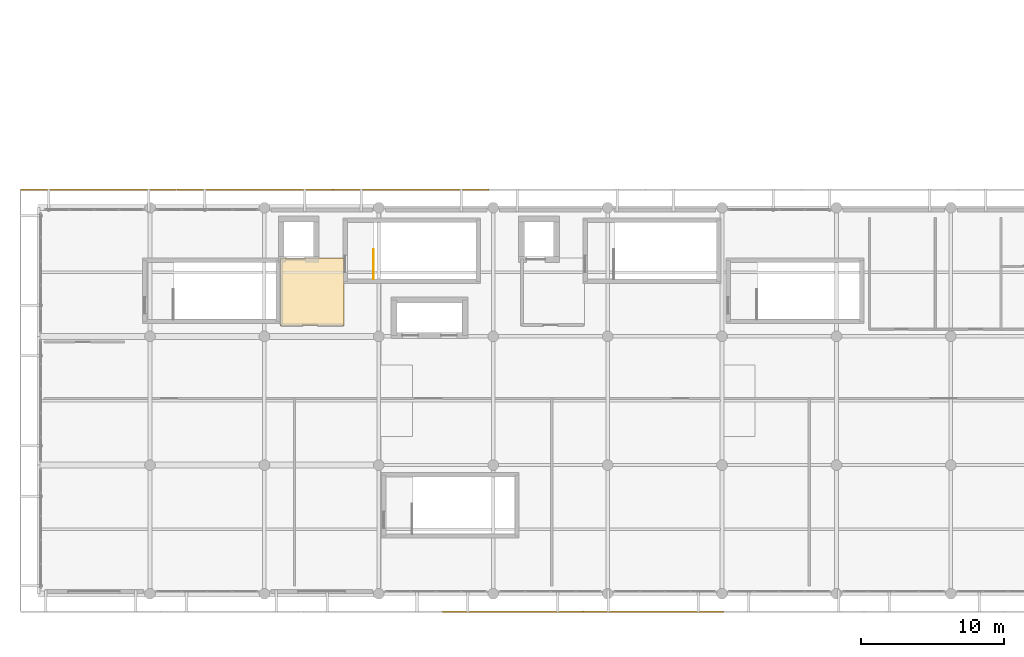
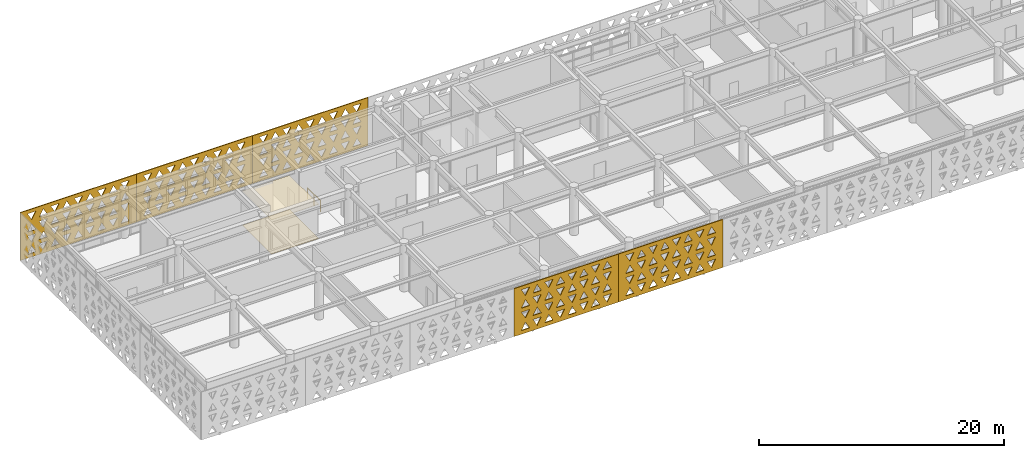
# One storey, part 23 of 26: 7 coverings, 1 railing.
"""IFC4 building model written with IfcOpenShell, lengths in metres."""

from ifc_helpers import new_model, si_unit, direction, frame, origin, origin_2d, place, context, subcontext, project, spatial, polyline, circle, outline, extrude, material, layer, layer_set, type_object, element, save


model = new_model("IFC4")

# Units and contexts
model_context = context("Model", 3, precision=1e-05, world=origin(), true_north=direction((0.0, 1.0)))
body_context = subcontext(model_context, "Body", "Model", "MODEL_VIEW")
ifc_project = project(units=[si_unit("LENGTHUNIT", "METRE"), si_unit("AREAUNIT", "SQUARE_METRE"), si_unit("VOLUMEUNIT", "CUBIC_METRE"), si_unit("PLANEANGLEUNIT", "RADIAN"), si_unit("MASSUNIT", "GRAM", prefix="KILO")], contexts=[model_context])

# Site, building, storey
site_placement = place(None, origin())
site = spatial("IfcSite", under=ifc_project, at=site_placement, CompositionType="ELEMENT")
building_placement = place(site_placement, origin())
building = spatial("IfcBuilding", under=site, at=building_placement, Name="Tlacozan Convention Centre", CompositionType="ELEMENT")
storey_placement = place(building_placement, frame((0.0, 0.0, 21.0)))
storey = spatial("IfcBuildingStorey", under=building, at=storey_placement, Name="L04", CompositionType="ELEMENT", Elevation=21.0)

# Coverings
ifc_material_1 = material(Name="Perforated Acoustic Mineral Fibre Ceiling")
ifc_layer_1 = layer(ifc_material_1, 0.02490234375)
ifc_layer_set_1 = layer_set([ifc_layer_1], Name="Perforated Acoustic Mineral Fibre Ceiling")
covering_type_1 = type_object("IfcCoveringType", Name="Acoustic Mineral Fibre Ceiling 25", PredefinedType="CEILING", material=ifc_layer_set_1)
covering_1_placement = place(storey_placement, frame((0.0, 0.0, 3.39990234375)))
element("IfcCovering", 1, at=covering_1_placement, inside=storey, type_object=covering_type_1, Name="L04 Acoustic Ceiling L04-FFL-1", PredefinedType="CEILING", context=body_context, shape_type="SweptSolid", body=[
    extrude(outline(polyline([(17.1201171875, 18.719970703125), (21.580078125, 18.719970703125), (21.580078125, 23.47998046875), (17.1201171875, 23.47998046875), (17.1201171875, 18.719970703125)])), origin(), (0.0, 0.0, 1.0), 0.025146484375),
])
ifc_material_2 = material(Name="Polished Basalt Terrazzo Flooring", Category="masonry")
ifc_layer_2 = layer(ifc_material_2, 0.02001953125)
ifc_layer_set_2 = layer_set([ifc_layer_2], Name="Polished Basalt Terrazzo Flooring")
covering_type_2 = type_object("IfcCoveringType", Name="Polished Basalt Terrazzo Flooring 20", PredefinedType="FLOORING", material=ifc_layer_set_2)
covering_2_placement = place(storey_placement, origin())
element("IfcCovering", 2, at=covering_2_placement, inside=storey, type_object=covering_type_2, Name="L04 Terrazzo Flooring L04-FFL-1", PredefinedType="FLOORING", context=body_context, shape_type="SweptSolid", body=[
    extrude(outline(polyline([(17.1201171875, 18.719970703125), (21.580078125, 18.719970703125), (21.580078125, 23.47998046875), (17.1201171875, 23.47998046875), (17.1201171875, 18.719970703125)])), origin(), (0.0, 0.0, 1.0), 0.02001953125),
])

# Railing
ifc_material_3 = material(Name="Architectural Painted Galvanised Steel Railing", Category="steel")
railing_type = type_object("IfcRailingType", Name="Stair Well Guardrail 1100", PredefinedType="GUARDRAIL", material=ifc_material_3)
railing_placement = place(storey_placement, frame((23.6298828125, 22.0, 0.0)))
element("IfcRailing", 3, at=railing_placement, inside=storey, type_object=railing_type, Name="L04 ST-01 top well guard 1", PredefinedType="GUARDRAIL", context=body_context, shape_type="SweptSolid", body=[
    extrude(circle(Radius=0.02392578125, at=origin_2d()), frame((0.0, 0.0, 1.076171875), z_axis=(0.0, 1.0, 0.0), x_axis=(-1.0, 0.0, 0.0)), (0.0, 0.0, 1.0), 2.080078125),
    extrude(circle(Radius=0.02099609375, at=origin_2d()), origin(), (0.0, 0.0, 1.0), 1.052001953125),
    extrude(circle(Radius=0.02099609375, at=origin_2d()), frame((0.0, 1.0400390625, 0.0)), (0.0, 0.0, 1.0), 1.052001953125),
    extrude(circle(Radius=0.02099609375, at=origin_2d()), frame((0.0, 2.080078125, 0.0)), (0.0, 0.0, 1.0), 1.052001953125),
])

# Coverings
ifc_material_4 = material(Name="Toluca Fired Terracotta Masonry Solar Screen", Category="masonry")
ifc_layer_3 = layer(ifc_material_4, 0.080078125)
ifc_layer_set_3 = layer_set([ifc_layer_3], Name="Toluca Fired Terracotta Masonry Solar Screen")
covering_type_3 = type_object("IfcCoveringType", Name="Terracotta Triangle Solar Screen 80", PredefinedType="USERDEFINED", material=ifc_layer_set_3)
covering_3_placement = place(storey_placement, frame((28.44189453125, -1.25, -0.030029296875), z_axis=(0.0, 0.0, 1.0), x_axis=(1.0, 0.0, 0.0)))
element("IfcCovering", 4, at=covering_3_placement, inside=storey, type_object=covering_type_3, Name="L04 Terracotta Triangle Screen 80", ObjectType="SCREEN", PredefinedType="USERDEFINED", context=body_context, shape_type="SweptSolid", body=[
    extrude(outline(polyline([(0.0, 0.0), (9.826171875, 0.0), (9.826171875, 4.780029296875), (0.0, 4.780029296875), (0.0, 0.0)]), holes=[polyline([(0.677001953125, 0.360107421875), (1.44921875, 0.360107421875), (1.06298828125, 1.074951171875), (0.677001953125, 0.360107421875)]), polyline([(1.777099609375, 1.074951171875), (2.549072265625, 1.074951171875), (2.1630859375, 0.360107421875), (1.777099609375, 1.074951171875)]), polyline([(2.876953125, 0.360107421875), (3.649169921875, 0.360107421875), (3.26318359375, 1.074951171875), (2.876953125, 0.360107421875)]), polyline([(3.97705078125, 1.074951171875), (4.7490234375, 1.074951171875), (4.363037109375, 0.360107421875), (3.97705078125, 1.074951171875)]), polyline([(5.0771484375, 0.360107421875), (5.84912109375, 0.360107421875), (5.463134765625, 1.074951171875), (5.0771484375, 0.360107421875)]), polyline([(6.177001953125, 1.074951171875), (6.94921875, 1.074951171875), (6.56298828125, 0.360107421875), (6.177001953125, 1.074951171875)]), polyline([(7.277099609375, 0.360107421875), (8.049072265625, 0.360107421875), (7.6630859375, 1.074951171875), (7.277099609375, 0.360107421875)]), polyline([(8.376953125, 1.074951171875), (9.149169921875, 1.074951171875), (8.76318359375, 0.360107421875), (8.376953125, 1.074951171875)]), polyline([(0.677001953125, 2.18994140625), (1.44921875, 2.18994140625), (1.06298828125, 1.47509765625), (0.677001953125, 2.18994140625)]), polyline([(1.777099609375, 1.47509765625), (2.549072265625, 1.47509765625), (2.1630859375, 2.18994140625), (1.777099609375, 1.47509765625)]), polyline([(2.876953125, 2.18994140625), (3.649169921875, 2.18994140625), (3.26318359375, 1.47509765625), (2.876953125, 2.18994140625)]), polyline([(3.97705078125, 1.47509765625), (4.7490234375, 1.47509765625), (4.363037109375, 2.18994140625), (3.97705078125, 1.47509765625)]), polyline([(5.0771484375, 2.18994140625), (5.84912109375, 2.18994140625), (5.463134765625, 1.47509765625), (5.0771484375, 2.18994140625)]), polyline([(6.177001953125, 1.47509765625), (6.94921875, 1.47509765625), (6.56298828125, 2.18994140625), (6.177001953125, 1.47509765625)]), polyline([(7.277099609375, 2.18994140625), (8.049072265625, 2.18994140625), (7.6630859375, 1.47509765625), (7.277099609375, 2.18994140625)]), polyline([(8.376953125, 1.47509765625), (9.149169921875, 1.47509765625), (8.76318359375, 2.18994140625), (8.376953125, 1.47509765625)]), polyline([(0.677001953125, 2.590087890625), (1.44921875, 2.590087890625), (1.06298828125, 3.304931640625), (0.677001953125, 2.590087890625)]), polyline([(1.777099609375, 3.304931640625), (2.549072265625, 3.304931640625), (2.1630859375, 2.590087890625), (1.777099609375, 3.304931640625)]), polyline([(2.876953125, 2.590087890625), (3.649169921875, 2.590087890625), (3.26318359375, 3.304931640625), (2.876953125, 2.590087890625)]), polyline([(3.97705078125, 3.304931640625), (4.7490234375, 3.304931640625), (4.363037109375, 2.590087890625), (3.97705078125, 3.304931640625)]), polyline([(5.0771484375, 2.590087890625), (5.84912109375, 2.590087890625), (5.463134765625, 3.304931640625), (5.0771484375, 2.590087890625)]), polyline([(6.177001953125, 3.304931640625), (6.94921875, 3.304931640625), (6.56298828125, 2.590087890625), (6.177001953125, 3.304931640625)]), polyline([(7.277099609375, 2.590087890625), (8.049072265625, 2.590087890625), (7.6630859375, 3.304931640625), (7.277099609375, 2.590087890625)]), polyline([(8.376953125, 3.304931640625), (9.149169921875, 3.304931640625), (8.76318359375, 2.590087890625), (8.376953125, 3.304931640625)]), polyline([(0.677001953125, 4.419921875), (1.44921875, 4.419921875), (1.06298828125, 3.705078125), (0.677001953125, 4.419921875)]), polyline([(1.777099609375, 3.705078125), (2.549072265625, 3.705078125), (2.1630859375, 4.419921875), (1.777099609375, 3.705078125)]), polyline([(2.876953125, 4.419921875), (3.649169921875, 4.419921875), (3.26318359375, 3.705078125), (2.876953125, 4.419921875)]), polyline([(3.97705078125, 3.705078125), (4.7490234375, 3.705078125), (4.363037109375, 4.419921875), (3.97705078125, 3.705078125)]), polyline([(5.0771484375, 4.419921875), (5.84912109375, 4.419921875), (5.463134765625, 3.705078125), (5.0771484375, 4.419921875)]), polyline([(6.177001953125, 3.705078125), (6.94921875, 3.705078125), (6.56298828125, 4.419921875), (6.177001953125, 3.705078125)]), polyline([(7.277099609375, 4.419921875), (8.049072265625, 4.419921875), (7.6630859375, 3.705078125), (7.277099609375, 4.419921875)]), polyline([(8.376953125, 3.705078125), (9.149169921875, 3.705078125), (8.76318359375, 4.419921875), (8.376953125, 3.705078125)])]), frame((0.0, 0.0400390625, 0.0), z_axis=(0.0, -1.0, 0.0), x_axis=(1.0, 0.0, 0.0)), (0.0, 0.0, 1.0), 0.080078125),
])
covering_4_placement = place(storey_placement, frame((38.27197265625, -1.25, -0.030029296875), z_axis=(0.0, 0.0, 1.0), x_axis=(1.0, 0.0, 0.0)))
element("IfcCovering", 5, at=covering_4_placement, inside=storey, type_object=covering_type_3, Name="L04 Terracotta Triangle Screen 81", ObjectType="SCREEN", PredefinedType="USERDEFINED", context=body_context, shape_type="SweptSolid", body=[
    extrude(outline(polyline([(0.0, 0.0), (9.825927734375, 0.0), (9.825927734375, 4.780029296875), (0.0, 4.780029296875), (0.0, 0.0)]), holes=[polyline([(0.677001953125, 0.360107421875), (1.448974609375, 0.360107421875), (1.06298828125, 1.074951171875), (0.677001953125, 0.360107421875)]), polyline([(1.77685546875, 1.074951171875), (2.549072265625, 1.074951171875), (2.1630859375, 0.360107421875), (1.77685546875, 1.074951171875)]), polyline([(2.876953125, 0.360107421875), (3.64892578125, 0.360107421875), (3.262939453125, 1.074951171875), (2.876953125, 0.360107421875)]), polyline([(3.97705078125, 1.074951171875), (4.7490234375, 1.074951171875), (4.363037109375, 0.360107421875), (3.97705078125, 1.074951171875)]), polyline([(5.076904296875, 0.360107421875), (5.848876953125, 0.360107421875), (5.462890625, 1.074951171875), (5.076904296875, 0.360107421875)]), polyline([(6.177001953125, 1.074951171875), (6.948974609375, 1.074951171875), (6.56298828125, 0.360107421875), (6.177001953125, 1.074951171875)]), polyline([(7.27685546875, 0.360107421875), (8.049072265625, 0.360107421875), (7.6630859375, 1.074951171875), (7.27685546875, 0.360107421875)]), polyline([(8.376953125, 1.074951171875), (9.14892578125, 1.074951171875), (8.762939453125, 0.360107421875), (8.376953125, 1.074951171875)]), polyline([(0.677001953125, 2.18994140625), (1.448974609375, 2.18994140625), (1.06298828125, 1.47509765625), (0.677001953125, 2.18994140625)]), polyline([(1.77685546875, 1.47509765625), (2.549072265625, 1.47509765625), (2.1630859375, 2.18994140625), (1.77685546875, 1.47509765625)]), polyline([(2.876953125, 2.18994140625), (3.64892578125, 2.18994140625), (3.262939453125, 1.47509765625), (2.876953125, 2.18994140625)]), polyline([(3.97705078125, 1.47509765625), (4.7490234375, 1.47509765625), (4.363037109375, 2.18994140625), (3.97705078125, 1.47509765625)]), polyline([(5.076904296875, 2.18994140625), (5.848876953125, 2.18994140625), (5.462890625, 1.47509765625), (5.076904296875, 2.18994140625)]), polyline([(6.177001953125, 1.47509765625), (6.948974609375, 1.47509765625), (6.56298828125, 2.18994140625), (6.177001953125, 1.47509765625)]), polyline([(7.27685546875, 2.18994140625), (8.049072265625, 2.18994140625), (7.6630859375, 1.47509765625), (7.27685546875, 2.18994140625)]), polyline([(8.376953125, 1.47509765625), (9.14892578125, 1.47509765625), (8.762939453125, 2.18994140625), (8.376953125, 1.47509765625)]), polyline([(0.677001953125, 2.590087890625), (1.448974609375, 2.590087890625), (1.06298828125, 3.304931640625), (0.677001953125, 2.590087890625)]), polyline([(1.77685546875, 3.304931640625), (2.549072265625, 3.304931640625), (2.1630859375, 2.590087890625), (1.77685546875, 3.304931640625)]), polyline([(2.876953125, 2.590087890625), (3.64892578125, 2.590087890625), (3.262939453125, 3.304931640625), (2.876953125, 2.590087890625)]), polyline([(3.97705078125, 3.304931640625), (4.7490234375, 3.304931640625), (4.363037109375, 2.590087890625), (3.97705078125, 3.304931640625)]), polyline([(5.076904296875, 2.590087890625), (5.848876953125, 2.590087890625), (5.462890625, 3.304931640625), (5.076904296875, 2.590087890625)]), polyline([(6.177001953125, 3.304931640625), (6.948974609375, 3.304931640625), (6.56298828125, 2.590087890625), (6.177001953125, 3.304931640625)]), polyline([(7.27685546875, 2.590087890625), (8.049072265625, 2.590087890625), (7.6630859375, 3.304931640625), (7.27685546875, 2.590087890625)]), polyline([(8.376953125, 3.304931640625), (9.14892578125, 3.304931640625), (8.762939453125, 2.590087890625), (8.376953125, 3.304931640625)]), polyline([(0.677001953125, 4.419921875), (1.448974609375, 4.419921875), (1.06298828125, 3.705078125), (0.677001953125, 4.419921875)]), polyline([(1.77685546875, 3.705078125), (2.549072265625, 3.705078125), (2.1630859375, 4.419921875), (1.77685546875, 3.705078125)]), polyline([(2.876953125, 4.419921875), (3.64892578125, 4.419921875), (3.262939453125, 3.705078125), (2.876953125, 4.419921875)]), polyline([(3.97705078125, 3.705078125), (4.7490234375, 3.705078125), (4.363037109375, 4.419921875), (3.97705078125, 3.705078125)]), polyline([(5.076904296875, 4.419921875), (5.848876953125, 4.419921875), (5.462890625, 3.705078125), (5.076904296875, 4.419921875)]), polyline([(6.177001953125, 3.705078125), (6.948974609375, 3.705078125), (6.56298828125, 4.419921875), (6.177001953125, 3.705078125)]), polyline([(7.27685546875, 4.419921875), (8.049072265625, 4.419921875), (7.6630859375, 3.705078125), (7.27685546875, 4.419921875)]), polyline([(8.376953125, 3.705078125), (9.14892578125, 3.705078125), (8.762939453125, 4.419921875), (8.376953125, 3.705078125)])]), frame((0.0, 0.0400390625, 0.0), z_axis=(0.0, -1.0, 0.0), x_axis=(1.0, 0.0, 0.0)), (0.0, 0.0, 1.0), 0.080078125),
])
covering_5_placement = place(storey_placement, frame((-1.048095703125, 28.25, -0.030029296875), z_axis=(0.0, 0.0, 1.0), x_axis=(1.0, 0.0, 0.0)))
element("IfcCovering", 6, at=covering_5_placement, inside=storey, type_object=covering_type_3, Name="L04 Terracotta Triangle Screen 93", ObjectType="SCREEN", PredefinedType="USERDEFINED", context=body_context, shape_type="SweptSolid", body=[
    extrude(outline(polyline([(0.0, 0.0), (10.918212890625, 0.0), (10.918212890625, 4.780029296875), (0.0, 4.780029296875), (0.0, 0.0)]), holes=[polyline([(0.673095703125, 0.360107421875), (1.445068359375, 0.360107421875), (1.05908203125, 1.074951171875), (0.673095703125, 0.360107421875)]), polyline([(1.773193359375, 1.074951171875), (2.545166015625, 1.074951171875), (2.1591796875, 0.360107421875), (1.773193359375, 1.074951171875)]), polyline([(2.873046875, 0.360107421875), (3.64501953125, 0.360107421875), (3.259033203125, 1.074951171875), (2.873046875, 0.360107421875)]), polyline([(3.97314453125, 1.074951171875), (4.7451171875, 1.074951171875), (4.359130859375, 0.360107421875), (3.97314453125, 1.074951171875)]), polyline([(5.072998046875, 0.360107421875), (5.84521484375, 0.360107421875), (5.458984375, 1.074951171875), (5.072998046875, 0.360107421875)]), polyline([(6.173095703125, 1.074951171875), (6.945068359375, 1.074951171875), (6.55908203125, 0.360107421875), (6.173095703125, 1.074951171875)]), polyline([(7.273193359375, 0.360107421875), (8.045166015625, 0.360107421875), (7.6591796875, 1.074951171875), (7.273193359375, 0.360107421875)]), polyline([(8.373046875, 1.074951171875), (9.14501953125, 1.074951171875), (8.759033203125, 0.360107421875), (8.373046875, 1.074951171875)]), polyline([(9.47314453125, 0.360107421875), (10.2451171875, 0.360107421875), (9.859130859375, 1.074951171875), (9.47314453125, 0.360107421875)]), polyline([(0.673095703125, 2.18994140625), (1.445068359375, 2.18994140625), (1.05908203125, 1.47509765625), (0.673095703125, 2.18994140625)]), polyline([(1.773193359375, 1.47509765625), (2.545166015625, 1.47509765625), (2.1591796875, 2.18994140625), (1.773193359375, 1.47509765625)]), polyline([(2.873046875, 2.18994140625), (3.64501953125, 2.18994140625), (3.259033203125, 1.47509765625), (2.873046875, 2.18994140625)]), polyline([(3.97314453125, 1.47509765625), (4.7451171875, 1.47509765625), (4.359130859375, 2.18994140625), (3.97314453125, 1.47509765625)]), polyline([(5.072998046875, 2.18994140625), (5.84521484375, 2.18994140625), (5.458984375, 1.47509765625), (5.072998046875, 2.18994140625)]), polyline([(6.173095703125, 1.47509765625), (6.945068359375, 1.47509765625), (6.55908203125, 2.18994140625), (6.173095703125, 1.47509765625)]), polyline([(7.273193359375, 2.18994140625), (8.045166015625, 2.18994140625), (7.6591796875, 1.47509765625), (7.273193359375, 2.18994140625)]), polyline([(8.373046875, 1.47509765625), (9.14501953125, 1.47509765625), (8.759033203125, 2.18994140625), (8.373046875, 1.47509765625)]), polyline([(9.47314453125, 2.18994140625), (10.2451171875, 2.18994140625), (9.859130859375, 1.47509765625), (9.47314453125, 2.18994140625)]), polyline([(0.673095703125, 2.590087890625), (1.445068359375, 2.590087890625), (1.05908203125, 3.304931640625), (0.673095703125, 2.590087890625)]), polyline([(1.773193359375, 3.304931640625), (2.545166015625, 3.304931640625), (2.1591796875, 2.590087890625), (1.773193359375, 3.304931640625)]), polyline([(2.873046875, 2.590087890625), (3.64501953125, 2.590087890625), (3.259033203125, 3.304931640625), (2.873046875, 2.590087890625)]), polyline([(3.97314453125, 3.304931640625), (4.7451171875, 3.304931640625), (4.359130859375, 2.590087890625), (3.97314453125, 3.304931640625)]), polyline([(5.072998046875, 2.590087890625), (5.84521484375, 2.590087890625), (5.458984375, 3.304931640625), (5.072998046875, 2.590087890625)]), polyline([(6.173095703125, 3.304931640625), (6.945068359375, 3.304931640625), (6.55908203125, 2.590087890625), (6.173095703125, 3.304931640625)]), polyline([(7.273193359375, 2.590087890625), (8.045166015625, 2.590087890625), (7.6591796875, 3.304931640625), (7.273193359375, 2.590087890625)]), polyline([(8.373046875, 3.304931640625), (9.14501953125, 3.304931640625), (8.759033203125, 2.590087890625), (8.373046875, 3.304931640625)]), polyline([(9.47314453125, 2.590087890625), (10.2451171875, 2.590087890625), (9.859130859375, 3.304931640625), (9.47314453125, 2.590087890625)]), polyline([(0.673095703125, 4.419921875), (1.445068359375, 4.419921875), (1.05908203125, 3.705078125), (0.673095703125, 4.419921875)]), polyline([(1.773193359375, 3.705078125), (2.545166015625, 3.705078125), (2.1591796875, 4.419921875), (1.773193359375, 3.705078125)]), polyline([(2.873046875, 4.419921875), (3.64501953125, 4.419921875), (3.259033203125, 3.705078125), (2.873046875, 4.419921875)]), polyline([(3.97314453125, 3.705078125), (4.7451171875, 3.705078125), (4.359130859375, 4.419921875), (3.97314453125, 3.705078125)]), polyline([(5.072998046875, 4.419921875), (5.84521484375, 4.419921875), (5.458984375, 3.705078125), (5.072998046875, 4.419921875)]), polyline([(6.173095703125, 3.705078125), (6.945068359375, 3.705078125), (6.55908203125, 4.419921875), (6.173095703125, 3.705078125)]), polyline([(7.273193359375, 4.419921875), (8.045166015625, 4.419921875), (7.6591796875, 3.705078125), (7.273193359375, 4.419921875)]), polyline([(8.373046875, 3.705078125), (9.14501953125, 3.705078125), (8.759033203125, 4.419921875), (8.373046875, 3.705078125)]), polyline([(9.47314453125, 4.419921875), (10.2451171875, 4.419921875), (9.859130859375, 3.705078125), (9.47314453125, 4.419921875)])]), frame((0.0, 0.0400390625, 0.0), z_axis=(0.0, -1.0, 0.0), x_axis=(1.0, 0.0, 0.0)), (0.0, 0.0, 1.0), 0.080078125),
])
covering_6_placement = place(storey_placement, frame((9.874267578125, 28.25, -0.030029296875), z_axis=(0.0, 0.0, 1.0), x_axis=(1.0, 0.0, 0.0)))
element("IfcCovering", 7, at=covering_6_placement, inside=storey, type_object=covering_type_3, Name="L04 Terracotta Triangle Screen 94", ObjectType="SCREEN", PredefinedType="USERDEFINED", context=body_context, shape_type="SweptSolid", body=[
    extrude(outline(polyline([(0.0, 0.0), (10.918212890625, 0.0), (10.918212890625, 4.780029296875), (0.0, 4.780029296875), (0.0, 0.0)]), holes=[polyline([(0.673095703125, 0.360107421875), (1.445068359375, 0.360107421875), (1.05908203125, 1.074951171875), (0.673095703125, 0.360107421875)]), polyline([(1.773193359375, 1.074951171875), (2.545166015625, 1.074951171875), (2.1591796875, 0.360107421875), (1.773193359375, 1.074951171875)]), polyline([(2.873046875, 0.360107421875), (3.64501953125, 0.360107421875), (3.259033203125, 1.074951171875), (2.873046875, 0.360107421875)]), polyline([(3.97314453125, 1.074951171875), (4.7451171875, 1.074951171875), (4.359130859375, 0.360107421875), (3.97314453125, 1.074951171875)]), polyline([(5.072998046875, 0.360107421875), (5.84521484375, 0.360107421875), (5.458984375, 1.074951171875), (5.072998046875, 0.360107421875)]), polyline([(6.173095703125, 1.074951171875), (6.945068359375, 1.074951171875), (6.55908203125, 0.360107421875), (6.173095703125, 1.074951171875)]), polyline([(7.273193359375, 0.360107421875), (8.045166015625, 0.360107421875), (7.6591796875, 1.074951171875), (7.273193359375, 0.360107421875)]), polyline([(8.373046875, 1.074951171875), (9.14501953125, 1.074951171875), (8.759033203125, 0.360107421875), (8.373046875, 1.074951171875)]), polyline([(9.47314453125, 0.360107421875), (10.2451171875, 0.360107421875), (9.859130859375, 1.074951171875), (9.47314453125, 0.360107421875)]), polyline([(0.673095703125, 2.18994140625), (1.445068359375, 2.18994140625), (1.05908203125, 1.47509765625), (0.673095703125, 2.18994140625)]), polyline([(1.773193359375, 1.47509765625), (2.545166015625, 1.47509765625), (2.1591796875, 2.18994140625), (1.773193359375, 1.47509765625)]), polyline([(2.873046875, 2.18994140625), (3.64501953125, 2.18994140625), (3.259033203125, 1.47509765625), (2.873046875, 2.18994140625)]), polyline([(3.97314453125, 1.47509765625), (4.7451171875, 1.47509765625), (4.359130859375, 2.18994140625), (3.97314453125, 1.47509765625)]), polyline([(5.072998046875, 2.18994140625), (5.84521484375, 2.18994140625), (5.458984375, 1.47509765625), (5.072998046875, 2.18994140625)]), polyline([(6.173095703125, 1.47509765625), (6.945068359375, 1.47509765625), (6.55908203125, 2.18994140625), (6.173095703125, 1.47509765625)]), polyline([(7.273193359375, 2.18994140625), (8.045166015625, 2.18994140625), (7.6591796875, 1.47509765625), (7.273193359375, 2.18994140625)]), polyline([(8.373046875, 1.47509765625), (9.14501953125, 1.47509765625), (8.759033203125, 2.18994140625), (8.373046875, 1.47509765625)]), polyline([(9.47314453125, 2.18994140625), (10.2451171875, 2.18994140625), (9.859130859375, 1.47509765625), (9.47314453125, 2.18994140625)]), polyline([(0.673095703125, 2.590087890625), (1.445068359375, 2.590087890625), (1.05908203125, 3.304931640625), (0.673095703125, 2.590087890625)]), polyline([(1.773193359375, 3.304931640625), (2.545166015625, 3.304931640625), (2.1591796875, 2.590087890625), (1.773193359375, 3.304931640625)]), polyline([(2.873046875, 2.590087890625), (3.64501953125, 2.590087890625), (3.259033203125, 3.304931640625), (2.873046875, 2.590087890625)]), polyline([(3.97314453125, 3.304931640625), (4.7451171875, 3.304931640625), (4.359130859375, 2.590087890625), (3.97314453125, 3.304931640625)]), polyline([(5.072998046875, 2.590087890625), (5.84521484375, 2.590087890625), (5.458984375, 3.304931640625), (5.072998046875, 2.590087890625)]), polyline([(6.173095703125, 3.304931640625), (6.945068359375, 3.304931640625), (6.55908203125, 2.590087890625), (6.173095703125, 3.304931640625)]), polyline([(7.273193359375, 2.590087890625), (8.045166015625, 2.590087890625), (7.6591796875, 3.304931640625), (7.273193359375, 2.590087890625)]), polyline([(8.373046875, 3.304931640625), (9.14501953125, 3.304931640625), (8.759033203125, 2.590087890625), (8.373046875, 3.304931640625)]), polyline([(9.47314453125, 2.590087890625), (10.2451171875, 2.590087890625), (9.859130859375, 3.304931640625), (9.47314453125, 2.590087890625)]), polyline([(0.673095703125, 4.419921875), (1.445068359375, 4.419921875), (1.05908203125, 3.705078125), (0.673095703125, 4.419921875)]), polyline([(1.773193359375, 3.705078125), (2.545166015625, 3.705078125), (2.1591796875, 4.419921875), (1.773193359375, 3.705078125)]), polyline([(2.873046875, 4.419921875), (3.64501953125, 4.419921875), (3.259033203125, 3.705078125), (2.873046875, 4.419921875)]), polyline([(3.97314453125, 3.705078125), (4.7451171875, 3.705078125), (4.359130859375, 4.419921875), (3.97314453125, 3.705078125)]), polyline([(5.072998046875, 4.419921875), (5.84521484375, 4.419921875), (5.458984375, 3.705078125), (5.072998046875, 4.419921875)]), polyline([(6.173095703125, 3.705078125), (6.945068359375, 3.705078125), (6.55908203125, 4.419921875), (6.173095703125, 3.705078125)]), polyline([(7.273193359375, 4.419921875), (8.045166015625, 4.419921875), (7.6591796875, 3.705078125), (7.273193359375, 4.419921875)]), polyline([(8.373046875, 3.705078125), (9.14501953125, 3.705078125), (8.759033203125, 4.419921875), (8.373046875, 3.705078125)]), polyline([(9.47314453125, 4.419921875), (10.2451171875, 4.419921875), (9.859130859375, 3.705078125), (9.47314453125, 4.419921875)])]), frame((0.0, 0.0400390625, 0.0), z_axis=(0.0, -1.0, 0.0), x_axis=(1.0, 0.0, 0.0)), (0.0, 0.0, 1.0), 0.080078125),
])
covering_7_placement = place(storey_placement, frame((20.79638671875, 28.25, -0.030029296875), z_axis=(0.0, 0.0, 1.0), x_axis=(1.0, 0.0, 0.0)))
element("IfcCovering", 8, at=covering_7_placement, inside=storey, type_object=covering_type_3, Name="L04 Terracotta Triangle Screen 95", ObjectType="SCREEN", PredefinedType="USERDEFINED", context=body_context, shape_type="SweptSolid", body=[
    extrude(outline(polyline([(0.0, 0.0), (10.918212890625, 0.0), (10.918212890625, 4.780029296875), (0.0, 4.780029296875), (0.0, 0.0)]), holes=[polyline([(0.673095703125, 0.360107421875), (1.445068359375, 0.360107421875), (1.05908203125, 1.074951171875), (0.673095703125, 0.360107421875)]), polyline([(1.773193359375, 1.074951171875), (2.545166015625, 1.074951171875), (2.1591796875, 0.360107421875), (1.773193359375, 1.074951171875)]), polyline([(2.873046875, 0.360107421875), (3.64501953125, 0.360107421875), (3.259033203125, 1.074951171875), (2.873046875, 0.360107421875)]), polyline([(3.97314453125, 1.074951171875), (4.7451171875, 1.074951171875), (4.359130859375, 0.360107421875), (3.97314453125, 1.074951171875)]), polyline([(5.072998046875, 0.360107421875), (5.84521484375, 0.360107421875), (5.458984375, 1.074951171875), (5.072998046875, 0.360107421875)]), polyline([(6.173095703125, 1.074951171875), (6.945068359375, 1.074951171875), (6.55908203125, 0.360107421875), (6.173095703125, 1.074951171875)]), polyline([(7.273193359375, 0.360107421875), (8.045166015625, 0.360107421875), (7.6591796875, 1.074951171875), (7.273193359375, 0.360107421875)]), polyline([(8.373046875, 1.074951171875), (9.14501953125, 1.074951171875), (8.759033203125, 0.360107421875), (8.373046875, 1.074951171875)]), polyline([(9.47314453125, 0.360107421875), (10.2451171875, 0.360107421875), (9.859130859375, 1.074951171875), (9.47314453125, 0.360107421875)]), polyline([(0.673095703125, 2.18994140625), (1.445068359375, 2.18994140625), (1.05908203125, 1.47509765625), (0.673095703125, 2.18994140625)]), polyline([(1.773193359375, 1.47509765625), (2.545166015625, 1.47509765625), (2.1591796875, 2.18994140625), (1.773193359375, 1.47509765625)]), polyline([(2.873046875, 2.18994140625), (3.64501953125, 2.18994140625), (3.259033203125, 1.47509765625), (2.873046875, 2.18994140625)]), polyline([(3.97314453125, 1.47509765625), (4.7451171875, 1.47509765625), (4.359130859375, 2.18994140625), (3.97314453125, 1.47509765625)]), polyline([(5.072998046875, 2.18994140625), (5.84521484375, 2.18994140625), (5.458984375, 1.47509765625), (5.072998046875, 2.18994140625)]), polyline([(6.173095703125, 1.47509765625), (6.945068359375, 1.47509765625), (6.55908203125, 2.18994140625), (6.173095703125, 1.47509765625)]), polyline([(7.273193359375, 2.18994140625), (8.045166015625, 2.18994140625), (7.6591796875, 1.47509765625), (7.273193359375, 2.18994140625)]), polyline([(8.373046875, 1.47509765625), (9.14501953125, 1.47509765625), (8.759033203125, 2.18994140625), (8.373046875, 1.47509765625)]), polyline([(9.47314453125, 2.18994140625), (10.2451171875, 2.18994140625), (9.859130859375, 1.47509765625), (9.47314453125, 2.18994140625)]), polyline([(0.673095703125, 2.590087890625), (1.445068359375, 2.590087890625), (1.05908203125, 3.304931640625), (0.673095703125, 2.590087890625)]), polyline([(1.773193359375, 3.304931640625), (2.545166015625, 3.304931640625), (2.1591796875, 2.590087890625), (1.773193359375, 3.304931640625)]), polyline([(2.873046875, 2.590087890625), (3.64501953125, 2.590087890625), (3.259033203125, 3.304931640625), (2.873046875, 2.590087890625)]), polyline([(3.97314453125, 3.304931640625), (4.7451171875, 3.304931640625), (4.359130859375, 2.590087890625), (3.97314453125, 3.304931640625)]), polyline([(5.072998046875, 2.590087890625), (5.84521484375, 2.590087890625), (5.458984375, 3.304931640625), (5.072998046875, 2.590087890625)]), polyline([(6.173095703125, 3.304931640625), (6.945068359375, 3.304931640625), (6.55908203125, 2.590087890625), (6.173095703125, 3.304931640625)]), polyline([(7.273193359375, 2.590087890625), (8.045166015625, 2.590087890625), (7.6591796875, 3.304931640625), (7.273193359375, 2.590087890625)]), polyline([(8.373046875, 3.304931640625), (9.14501953125, 3.304931640625), (8.759033203125, 2.590087890625), (8.373046875, 3.304931640625)]), polyline([(9.47314453125, 2.590087890625), (10.2451171875, 2.590087890625), (9.859130859375, 3.304931640625), (9.47314453125, 2.590087890625)]), polyline([(0.673095703125, 4.419921875), (1.445068359375, 4.419921875), (1.05908203125, 3.705078125), (0.673095703125, 4.419921875)]), polyline([(1.773193359375, 3.705078125), (2.545166015625, 3.705078125), (2.1591796875, 4.419921875), (1.773193359375, 3.705078125)]), polyline([(2.873046875, 4.419921875), (3.64501953125, 4.419921875), (3.259033203125, 3.705078125), (2.873046875, 4.419921875)]), polyline([(3.97314453125, 3.705078125), (4.7451171875, 3.705078125), (4.359130859375, 4.419921875), (3.97314453125, 3.705078125)]), polyline([(5.072998046875, 4.419921875), (5.84521484375, 4.419921875), (5.458984375, 3.705078125), (5.072998046875, 4.419921875)]), polyline([(6.173095703125, 3.705078125), (6.945068359375, 3.705078125), (6.55908203125, 4.419921875), (6.173095703125, 3.705078125)]), polyline([(7.273193359375, 4.419921875), (8.045166015625, 4.419921875), (7.6591796875, 3.705078125), (7.273193359375, 4.419921875)]), polyline([(8.373046875, 3.705078125), (9.14501953125, 3.705078125), (8.759033203125, 4.419921875), (8.373046875, 3.705078125)]), polyline([(9.47314453125, 4.419921875), (10.2451171875, 4.419921875), (9.859130859375, 3.705078125), (9.47314453125, 4.419921875)])]), frame((0.0, 0.0400390625, 0.0), z_axis=(0.0, -1.0, 0.0), x_axis=(1.0, 0.0, 0.0)), (0.0, 0.0, 1.0), 0.080078125),
])

save(model, "model.ifc")
